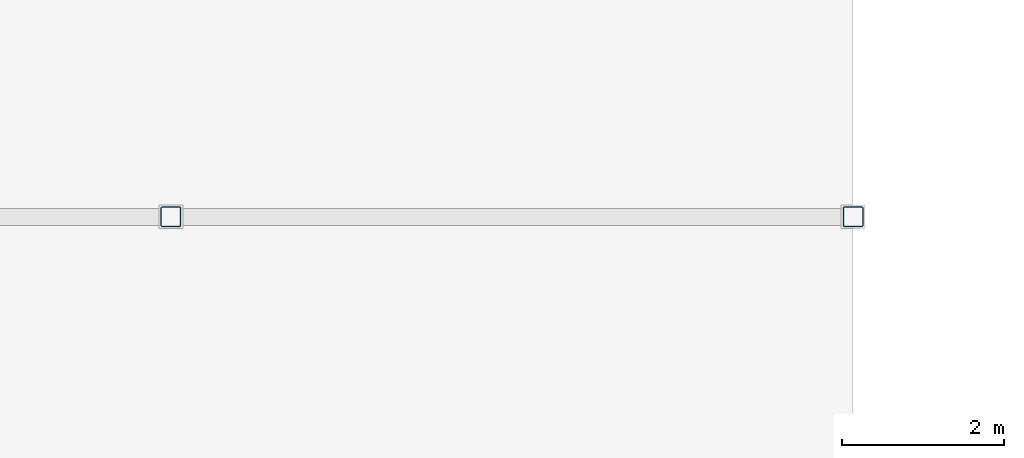
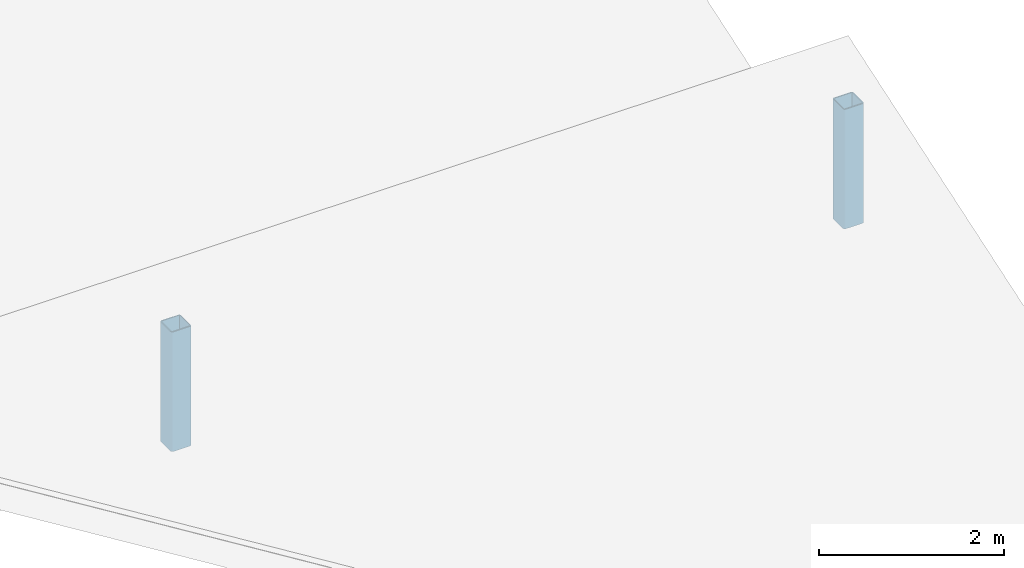
# One storey, part 11 of 72: 2 columns.
"""IFC4 building model written with IfcOpenShell, lengths in metres."""

from ifc_helpers import new_model, si_unit, direction, frame, origin, origin_2d, place, context, subcontext, project, spatial, hollow_rectangle, extrude, material, material_profile, profile_set, type_object, element, save


model = new_model("IFC4")

# Units and contexts
model_context = context("Model", 3, precision=1e-05, world=origin(), true_north=direction((0.0, 1.0)))
body_context = subcontext(model_context, "Body", "Model", "MODEL_VIEW")
ifc_project = project(units=[si_unit("LENGTHUNIT", "METRE"), si_unit("AREAUNIT", "SQUARE_METRE"), si_unit("VOLUMEUNIT", "CUBIC_METRE"), si_unit("PLANEANGLEUNIT", "RADIAN"), si_unit("MASSUNIT", "GRAM", prefix="KILO")], contexts=[model_context])

# Site, building, storey
site_placement = place(None, origin())
site = spatial("IfcSite", under=ifc_project, at=site_placement, CompositionType="ELEMENT")
building_placement = place(site_placement, origin())
building = spatial("IfcBuilding", under=site, at=building_placement, Name="Calvrana Isthmian Art Gallery", CompositionType="ELEMENT")
storey_placement = place(building_placement, frame((0.0, 0.0, 15.0)))
storey = spatial("IfcBuildingStorey", under=building, at=storey_placement, Name="L03", CompositionType="ELEMENT", Elevation=15.0)

# Columns
ifc_material = material(Name="Steel ASTM A500 Gr C", Category="steel")
ifc_material_profile = material_profile(ifc_material, hollow_rectangle(XDim=0.25390625, YDim=0.25390625, WallThickness=0.0126953125, OuterFilletRadius=0.02490234375, at=origin_2d()), Name="HSS254X254X12.7")
ifc_profile_set = profile_set([ifc_material_profile], Name="Steel ASTM A500 Gr C")
column_type = type_object("IfcColumnType", Name="COL-STL-HSS254X254X12.7", PredefinedType="COLUMN", material=ifc_profile_set)
for number, where, z_axis, x_axis, name in (
    (1, (55.199951171875, 105.60009765625, 0.0), (0.0, 0.0, 1.0), (1.0, 0.0, 0.0), "Roof ridge post L03-12"),
    (2, (63.60009765625, 105.60009765625, 0.0), (0.0, 0.0, 1.0), (1.0, 0.0, 0.0), "Roof ridge post L03-13"),
):
    element("IfcColumn", number, at=place(storey_placement, frame(where, z_axis=z_axis, x_axis=x_axis)), inside=storey, type_object=column_type, Name=name, PredefinedType="COLUMN", context=body_context, shape_type="SweptSolid", body=[
        extrude(hollow_rectangle(XDim=0.25390625, YDim=0.25390625, WallThickness=0.0126953125, OuterFilletRadius=0.02490234375, at=origin_2d()), origin(), (0.0, 0.0, 1.0), 1.580078125),
    ])

save(model, "model.ifc")
